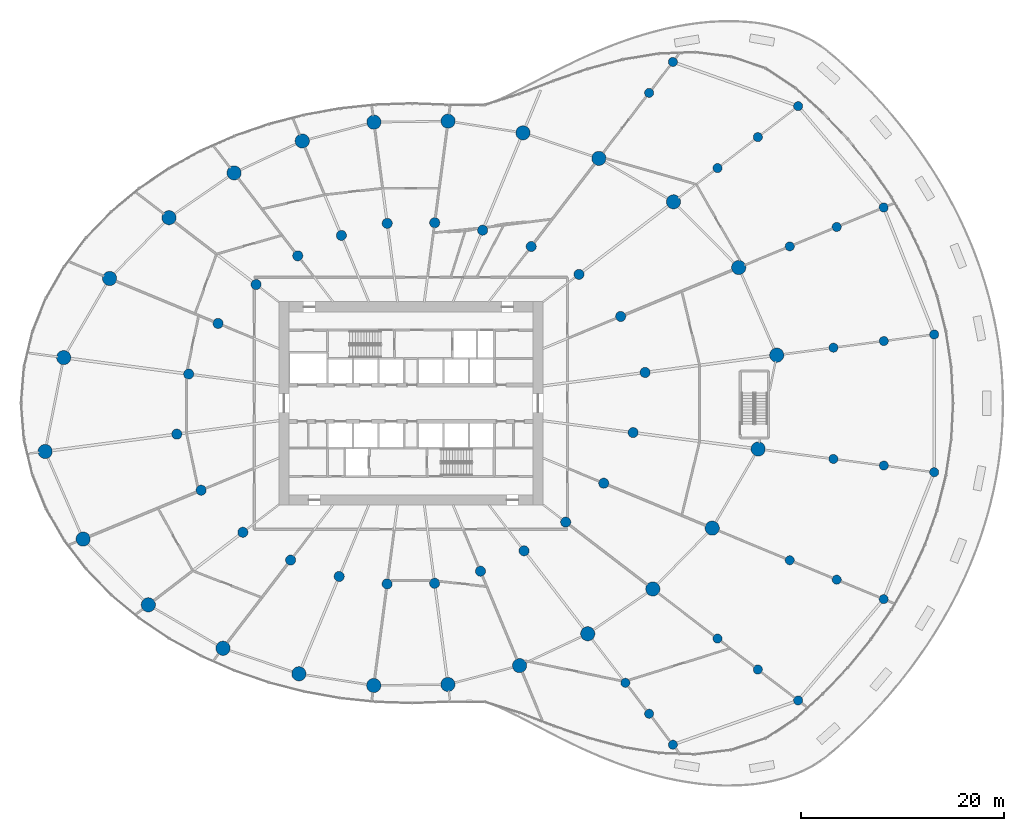
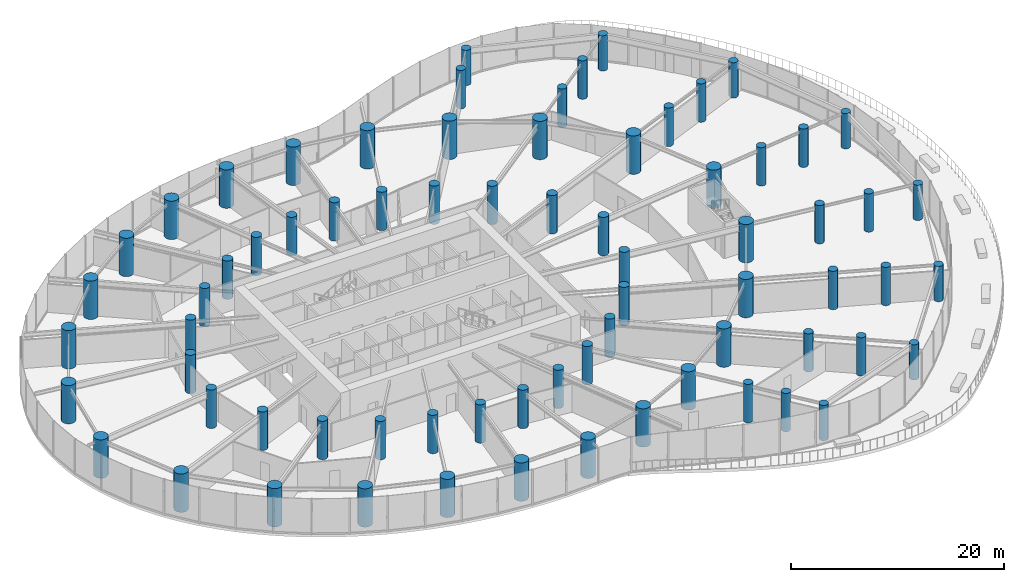
# One storey, part 1 of 24: 71 columns.
"""IFC4 building model written with IfcOpenShell, lengths in metres."""

from ifc_helpers import new_model, si_unit, direction, frame, origin, origin_2d, place, context, subcontext, project, spatial, circle, extrude, source, transform, mapped, material, material_profile, profile_set, type_object, element, save


model = new_model("IFC4")

# Units and contexts
model_context = context("Model", 3, precision=1e-05, world=origin(), true_north=direction((0.0, 1.0)))
body_context = subcontext(model_context, "Body", "Model", "MODEL_VIEW")
ifc_project = project(units=[si_unit("LENGTHUNIT", "METRE"), si_unit("AREAUNIT", "SQUARE_METRE"), si_unit("VOLUMEUNIT", "CUBIC_METRE"), si_unit("PLANEANGLEUNIT", "RADIAN"), si_unit("MASSUNIT", "GRAM", prefix="KILO")], contexts=[model_context])

# Site, building, storey
site_placement = place(None, origin())
site = spatial("IfcSite", under=ifc_project, at=site_placement, CompositionType="ELEMENT")
building_placement = place(site_placement, origin())
building = spatial("IfcBuilding", under=site, at=building_placement, Name="Spindrift Exchange Tower", CompositionType="ELEMENT")
storey_placement = place(building_placement, frame((0.0, 0.0, 5.0)))
storey = spatial("IfcBuildingStorey", under=building, at=storey_placement, Name="L01", CompositionType="ELEMENT", Elevation=5.0)

# Columns
ifc_material_1 = material(Name="Concrete 80 MPa", Category="concrete")
ifc_material_profile_1 = material_profile(ifc_material_1, circle(Radius=0.699951171875, at=origin_2d()), Name="RC D1400")
ifc_profile_set_1 = profile_set([ifc_material_profile_1], Name="Concrete 80 MPa")
column_type_1 = type_object("IfcColumnType", Name="RC Perimeter Column D1400 Concrete 80 MPa", PredefinedType="COLUMN", material=ifc_profile_set_1)
shared_shape_1 = source(origin(), body_context, "Body", "SweptSolid", [
    extrude(circle(Radius=0.699951171875, at=origin_2d()), origin(), (0.0, 0.0, 1.0), 4.39990234375),
])
for number, where, z_axis, x_axis, name in (
    (1, (87.990478515625, 52.73828125, 0.0), (0.0, 0.0, 1.0), (1.0, 0.0, 0.0), "Perimeter column P1-01 L01"),
    (2, (84.248779296875, 61.35791015625, 0.0), (0.0, 0.0, 1.0), (1.0, 0.0, 0.0), "Perimeter column P1-02 L01"),
    (3, (77.835693359375, 67.82421875, 0.0), (0.0, 0.0, 1.0), (1.0, 0.0, 0.0), "Perimeter column P1-03 L01"),
    (4, (70.4921875, 72.099609375, 0.0), (0.0, 0.0, 1.0), (1.0, 0.0, 0.0), "Perimeter column P1-04 L01"),
    (5, (63.022705078125, 74.611328125, 0.0), (0.0, 0.0, 1.0), (1.0, 0.0, 0.0), "Perimeter column P1-05 L01"),
    (6, (55.65478515625, 75.761474609375, 0.0), (0.0, 0.0, 1.0), (1.0, 0.0, 0.0), "Perimeter column P1-06 L01"),
    (7, (48.3583984375, 75.661376953125, 0.0), (0.0, 0.0, 1.0), (1.0, 0.0, 0.0), "Perimeter column P1-07 L01"),
    (8, (41.309814453125, 73.80859375, 0.0), (0.0, 0.0, 1.0), (1.0, 0.0, 0.0), "Perimeter column P1-08 L01"),
    (9, (34.603515625, 70.671630859375, 0.0), (0.0, 0.0, 1.0), (1.0, 0.0, 0.0), "Perimeter column P1-09 L01"),
    (10, (28.199462890625, 66.2626953125, 0.0), (0.0, 0.0, 1.0), (1.0, 0.0, 0.0), "Perimeter column P1-10 L01"),
    (11, (22.35546875, 60.279296875, 0.0), (0.0, 0.0, 1.0), (1.0, 0.0, 0.0), "Perimeter column P1-11 L01"),
    (12, (17.8388671875, 52.497314453125, 0.0), (0.0, 0.0, 1.0), (1.0, 0.0, 0.0), "Perimeter column P1-12 L01"),
    (13, (16.009521484375, 43.26171875, 0.0), (0.0, 0.0, 1.0), (1.0, 0.0, 0.0), "Perimeter column P1-13 L01"),
    (14, (19.751220703125, 34.64208984375, 0.0), (0.0, 0.0, 1.0), (1.0, 0.0, 0.0), "Perimeter column P1-14 L01"),
    (15, (26.164306640625, 28.17578125, 0.0), (0.0, 0.0, 1.0), (1.0, 0.0, 0.0), "Perimeter column P1-15 L01"),
    (16, (33.5078125, 23.900390625, 0.0), (0.0, 0.0, 1.0), (1.0, 0.0, 0.0), "Perimeter column P1-16 L01"),
    (17, (40.977294921875, 21.388671875, 0.0), (0.0, 0.0, 1.0), (1.0, 0.0, 0.0), "Perimeter column P1-17 L01"),
    (18, (48.34521484375, 20.238525390625, 0.0), (0.0, 0.0, 1.0), (1.0, 0.0, 0.0), "Perimeter column P1-18 L01"),
    (19, (55.6416015625, 20.338623046875, 0.0), (0.0, 0.0, 1.0), (1.0, 0.0, 0.0), "Perimeter column P1-19 L01"),
    (20, (62.690185546875, 22.19140625, 0.0), (0.0, 0.0, 1.0), (1.0, 0.0, 0.0), "Perimeter column P1-20 L01"),
    (21, (69.396484375, 25.328369140625, 0.0), (0.0, 0.0, 1.0), (1.0, 0.0, 0.0), "Perimeter column P1-21 L01"),
    (22, (75.800537109375, 29.7373046875, 0.0), (0.0, 0.0, 1.0), (1.0, 0.0, 0.0), "Perimeter column P1-22 L01"),
    (23, (81.64453125, 35.720703125, 0.0), (0.0, 0.0, 1.0), (1.0, 0.0, 0.0), "Perimeter column P1-23 L01"),
    (24, (86.1611328125, 43.502685546875, 0.0), (0.0, 0.0, 1.0), (1.0, 0.0, 0.0), "Perimeter column P1-24 L01"),
):
    element("IfcColumn", number, at=place(storey_placement, frame(where, z_axis=z_axis, x_axis=x_axis)), inside=storey, type_object=column_type_1, Name=name, PredefinedType="COLUMN", context=body_context, shape_type="MappedRepresentation", body=[
        mapped(shared_shape_1, transform((0.0, 0.0, 0.0), scale=1.0)),
    ])
ifc_material_profile_2 = material_profile(ifc_material_1, circle(Radius=0.5, at=origin_2d()), Name="RC D1000")
ifc_profile_set_2 = profile_set([ifc_material_profile_2], Name="Concrete 80 MPa")
column_type_2 = type_object("IfcColumnType", Name="RC Inner Column D1000 Concrete 80 MPa", PredefinedType="COLUMN", material=ifc_profile_set_2)
shared_shape_2 = source(origin(), body_context, "Body", "SweptSolid", [
    extrude(circle(Radius=0.5, at=origin_2d()), origin(), (0.0, 0.0, 1.0), 4.39990234375),
])
for number, where, z_axis, x_axis, name in (
    (25, (75.033935546875, 51.032470703125, 0.0), (0.0, 0.0, 1.0), (1.0, 0.0, 0.0), "Inner column Q1-01 L01"),
    (26, (72.639404296875, 56.549072265625, 0.0), (0.0, 0.0, 1.0), (1.0, 0.0, 0.0), "Inner column Q1-02 L01"),
    (27, (68.534912109375, 60.6875, 0.0), (0.0, 0.0, 1.0), (1.0, 0.0, 0.0), "Inner column Q1-03 L01"),
    (28, (63.835205078125, 63.423828125, 0.0), (0.0, 0.0, 1.0), (1.0, 0.0, 0.0), "Inner column Q1-04 L01"),
    (29, (59.0546875, 65.03125, 0.0), (0.0, 0.0, 1.0), (1.0, 0.0, 0.0), "Inner column Q1-05 L01"),
    (30, (54.339111328125, 65.767333984375, 0.0), (0.0, 0.0, 1.0), (1.0, 0.0, 0.0), "Inner column Q1-06 L01"),
    (31, (49.669189453125, 65.703125, 0.0), (0.0, 0.0, 1.0), (1.0, 0.0, 0.0), "Inner column Q1-07 L01"),
    (32, (45.158203125, 64.517578125, 0.0), (0.0, 0.0, 1.0), (1.0, 0.0, 0.0), "Inner column Q1-08 L01"),
    (33, (40.8662109375, 62.510009765625, 0.0), (0.0, 0.0, 1.0), (1.0, 0.0, 0.0), "Inner column Q1-09 L01"),
    (34, (36.767578125, 59.688232421875, 0.0), (0.0, 0.0, 1.0), (1.0, 0.0, 0.0), "Inner column Q1-10 L01"),
    (35, (33.027587890625, 55.858642578125, 0.0), (0.0, 0.0, 1.0), (1.0, 0.0, 0.0), "Inner column Q1-11 L01"),
    (36, (30.13671875, 50.87841796875, 0.0), (0.0, 0.0, 1.0), (1.0, 0.0, 0.0), "Inner column Q1-12 L01"),
    (37, (28.966064453125, 44.967529296875, 0.0), (0.0, 0.0, 1.0), (1.0, 0.0, 0.0), "Inner column Q1-13 L01"),
    (38, (31.360595703125, 39.450927734375, 0.0), (0.0, 0.0, 1.0), (1.0, 0.0, 0.0), "Inner column Q1-14 L01"),
    (39, (35.465087890625, 35.3125, 0.0), (0.0, 0.0, 1.0), (1.0, 0.0, 0.0), "Inner column Q1-15 L01"),
    (40, (40.164794921875, 32.576171875, 0.0), (0.0, 0.0, 1.0), (1.0, 0.0, 0.0), "Inner column Q1-16 L01"),
    (41, (44.9453125, 30.96875, 0.0), (0.0, 0.0, 1.0), (1.0, 0.0, 0.0), "Inner column Q1-17 L01"),
    (42, (49.660888671875, 30.232666015625, 0.0), (0.0, 0.0, 1.0), (1.0, 0.0, 0.0), "Inner column Q1-18 L01"),
    (43, (54.330810546875, 30.296875, 0.0), (0.0, 0.0, 1.0), (1.0, 0.0, 0.0), "Inner column Q1-19 L01"),
    (44, (58.841796875, 31.482421875, 0.0), (0.0, 0.0, 1.0), (1.0, 0.0, 0.0), "Inner column Q1-20 L01"),
    (45, (63.1337890625, 33.489990234375, 0.0), (0.0, 0.0, 1.0), (1.0, 0.0, 0.0), "Inner column Q1-21 L01"),
    (46, (67.232421875, 36.311767578125, 0.0), (0.0, 0.0, 1.0), (1.0, 0.0, 0.0), "Inner column Q1-22 L01"),
    (47, (70.972412109375, 40.141357421875, 0.0), (0.0, 0.0, 1.0), (1.0, 0.0, 0.0), "Inner column Q1-23 L01"),
    (48, (73.86328125, 45.12158203125, 0.0), (0.0, 0.0, 1.0), (1.0, 0.0, 0.0), "Inner column Q1-24 L01"),
):
    element("IfcColumn", number, at=place(storey_placement, frame(where, z_axis=z_axis, x_axis=x_axis)), inside=storey, type_object=column_type_2, Name=name, PredefinedType="COLUMN", context=body_context, shape_type="MappedRepresentation", body=[
        mapped(shared_shape_2, transform((0.0, 0.0, 0.0), scale=1.0)),
    ])
ifc_material_2 = material(Name="Concrete 50 MPa", Category="concrete")
ifc_material_profile_3 = material_profile(ifc_material_2, circle(Radius=0.449951171875, at=origin_2d()), Name="RC D900")
ifc_profile_set_3 = profile_set([ifc_material_profile_3], Name="Concrete 50 MPa")
column_type_3 = type_object("IfcColumnType", Name="RC Cascade Column D900 Concrete 50 MPa", PredefinedType="COLUMN", material=ifc_profile_set_3)
shared_shape_3 = source(origin(), body_context, "Body", "SweptSolid", [
    extrude(circle(Radius=0.449951171875, at=origin_2d()), origin(), (0.0, 0.0, 1.0), 4.050048828125),
])
for number, where, z_axis, x_axis, name in (
    (49, (103.4794921875, 54.77734375, 0.0), (0.0, 0.0, 1.0), (1.0, 0.0, 0.0), "Cascade column G1-01 L01"),
    (50, (98.51318359375, 67.266357421875, 0.0), (0.0, 0.0, 1.0), (1.0, 0.0, 0.0), "Cascade column G1-02 L01"),
    (51, (90.097900390625, 77.2333984375, 0.0), (0.0, 0.0, 1.0), (1.0, 0.0, 0.0), "Cascade column G1-03 L01"),
    (52, (77.77294921875, 81.587890625, 0.0), (0.0, 0.0, 1.0), (1.0, 0.0, 0.0), "Cascade column G1-04 L01"),
    (53, (77.77294921875, 14.412109375, 0.0), (0.0, 0.0, 1.0), (1.0, 0.0, 0.0), "Cascade column G1-21 L01"),
    (54, (90.097900390625, 18.7666015625, 0.0), (0.0, 0.0, 1.0), (1.0, 0.0, 0.0), "Cascade column G1-22 L01"),
    (55, (98.51318359375, 28.733642578125, 0.0), (0.0, 0.0, 1.0), (1.0, 0.0, 0.0), "Cascade column G1-23 L01"),
    (56, (103.4794921875, 41.22265625, 0.0), (0.0, 0.0, 1.0), (1.0, 0.0, 0.0), "Cascade column G1-24 L01"),
):
    element("IfcColumn", number, at=place(storey_placement, frame(where, z_axis=z_axis, x_axis=x_axis)), inside=storey, type_object=column_type_3, Name=name, PredefinedType="COLUMN", context=body_context, shape_type="MappedRepresentation", body=[
        mapped(shared_shape_3, transform((0.0, 0.0, 0.0), scale=1.0)),
    ])
shared_shape_4 = source(origin(), body_context, "Body", "SweptSolid", [
    extrude(circle(Radius=0.449951171875, at=origin_2d()), origin(), (0.0, 0.0, 1.0), 4.39990234375),
])
for number, where, z_axis, x_axis, name in (
    (57, (98.5224609375, 54.124755859375, 0.0), (0.0, 0.0, 1.0), (1.0, 0.0, 0.0), "Cascade column G2-01 L01"),
    (58, (93.893798828125, 65.35302734375, 0.0), (0.0, 0.0, 1.0), (1.0, 0.0, 0.0), "Cascade column G2-02 L01"),
    (59, (86.13134765625, 74.189697265625, 0.0), (0.0, 0.0, 1.0), (1.0, 0.0, 0.0), "Cascade column G2-03 L01"),
    (60, (75.436279296875, 78.542724609375, 0.0), (0.0, 0.0, 1.0), (1.0, 0.0, 0.0), "Cascade column G2-04 L01"),
    (61, (75.436279296875, 17.457275390625, 0.0), (0.0, 0.0, 1.0), (1.0, 0.0, 0.0), "Cascade column G2-21 L01"),
    (62, (86.13134765625, 21.810302734375, 0.0), (0.0, 0.0, 1.0), (1.0, 0.0, 0.0), "Cascade column G2-22 L01"),
    (63, (93.893798828125, 30.64697265625, 0.0), (0.0, 0.0, 1.0), (1.0, 0.0, 0.0), "Cascade column G2-23 L01"),
    (64, (98.5224609375, 41.875244140625, 0.0), (0.0, 0.0, 1.0), (1.0, 0.0, 0.0), "Cascade column G2-24 L01"),
    (65, (93.565185546875, 53.47216796875, 0.0), (0.0, 0.0, 1.0), (1.0, 0.0, 0.0), "Cascade column G3-01 L01"),
    (66, (89.274658203125, 63.439697265625, 0.0), (0.0, 0.0, 1.0), (1.0, 0.0, 0.0), "Cascade column G3-02 L01"),
    (67, (82.16455078125, 71.14599609375, 0.0), (0.0, 0.0, 1.0), (1.0, 0.0, 0.0), "Cascade column G3-03 L01"),
    (68, (73.099609375, 20.502685546875, 0.0), (0.0, 0.0, 1.0), (1.0, 0.0, 0.0), "Cascade column G3-21 L01"),
    (69, (82.16455078125, 24.85400390625, 0.0), (0.0, 0.0, 1.0), (1.0, 0.0, 0.0), "Cascade column G3-22 L01"),
    (70, (89.274658203125, 32.560302734375, 0.0), (0.0, 0.0, 1.0), (1.0, 0.0, 0.0), "Cascade column G3-23 L01"),
    (71, (93.565185546875, 42.52783203125, 0.0), (0.0, 0.0, 1.0), (1.0, 0.0, 0.0), "Cascade column G3-24 L01"),
):
    element("IfcColumn", number, at=place(storey_placement, frame(where, z_axis=z_axis, x_axis=x_axis)), inside=storey, type_object=column_type_3, Name=name, PredefinedType="COLUMN", context=body_context, shape_type="MappedRepresentation", body=[
        mapped(shared_shape_4, transform((0.0, 0.0, 0.0), scale=1.0)),
    ])

save(model, "model.ifc")
